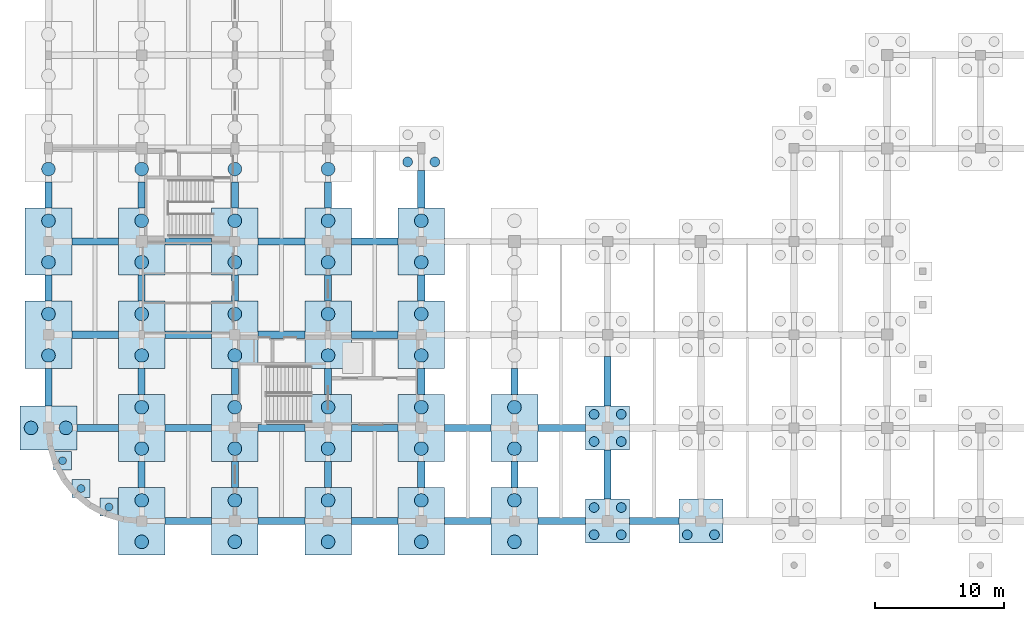
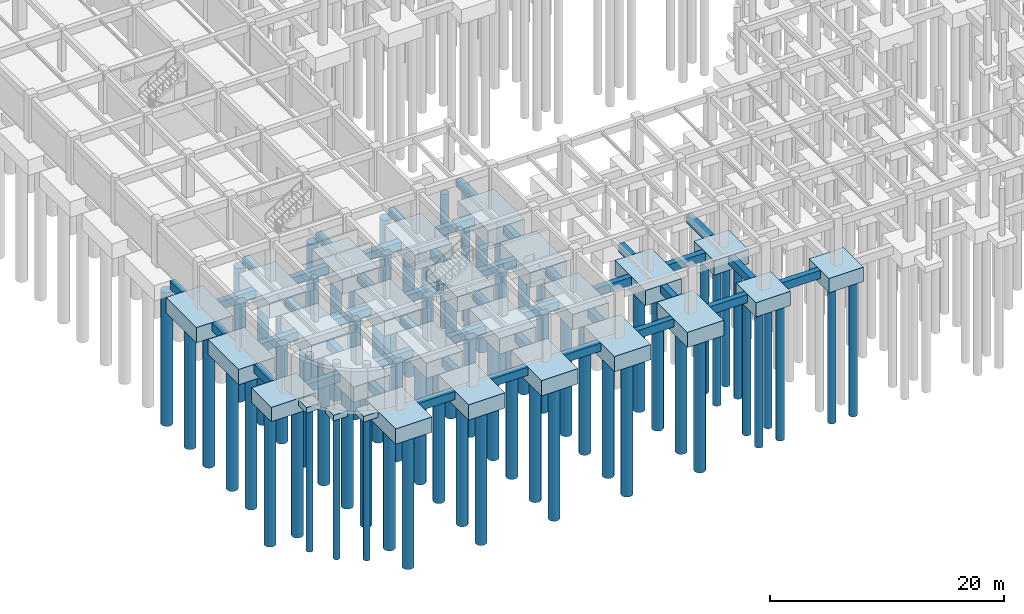
# One storey, part 1 of 47: 70 footings, 61 piles.
"""IFC4 building model written with IfcOpenShell, lengths in metres."""

import ifcopenshell
import ifcopenshell.guid

model = None  # the IFC model being written
_history = None  # IfcOwnerHistory: only IFC2X3 demands one
_inside = {}  # id of a spatial element -> (the spatial element, [elements in it])
_under = {}  # id of a project, library or spatial element -> (it, [spatial elements below it])
_declared = {}  # id of a project -> (the project, [libraries it declares])
_typed = {}  # id of a type object -> (the type object, [elements of that type])
_made_of = {}  # id of a material, layer set ... -> (it, [elements and type objects made of it])


def new_model(schema):
    """Start an empty IFC model of exactly this schema.

    Asked for "IFC4X3", IfcOpenShell would pick the latest addendum, in which some entities
    have other attributes; the version numbers below select the first issue.
    IFC2X3 requires an IfcOwnerHistory on every rooted entity: one is made here for all.
    """
    global model, _history
    if schema == "IFC4X3":
        model = ifcopenshell.file(schema_version=(4, 3, 0, 0))
    else:
        model = ifcopenshell.file(schema=schema)
    _inside.clear()
    _under.clear()
    _declared.clear()
    _typed.clear()
    _made_of.clear()
    _history = None
    if model.schema == "IFC2X3":
        org = make("IfcOrganization", Name="unknown")
        user = make(
            "IfcPersonAndOrganization",
            ThePerson=make("IfcPerson", FamilyName="unknown"),
            TheOrganization=org,
        )
        app = make(
            "IfcApplication",
            ApplicationDeveloper=org,
            Version="unknown",
            ApplicationFullName="unknown",
            ApplicationIdentifier="unknown",
        )
        _history = make(
            "IfcOwnerHistory",
            OwningUser=user,
            OwningApplication=app,
            ChangeAction="ADDED",
            CreationDate=0,
        )
    return model


def make(cls, **values):
    """One entity of the class cls with the attributes given. An attribute that is None is left unset."""
    return model.create_entity(
        cls, **{name: value for name, value in values.items() if value is not None}
    )


def rooted(cls, **values):
    """An entity with a GlobalId (a new one), such as an element, a storey or a relation."""
    return make(cls, GlobalId=ifcopenshell.guid.new(), OwnerHistory=_history, **values)


def si_unit(unit_type, name, prefix=None):
    """IfcSIUnit, for example si_unit("LENGTHUNIT", "METRE", prefix="MILLI")."""
    return make("IfcSIUnit", UnitType=unit_type, Prefix=prefix, Name=name)


def assignment(units):
    """IfcUnitAssignment: the units of a project."""
    return None if units is None else make("IfcUnitAssignment", Units=units)


def point(xyz):
    """IfcCartesianPoint."""
    return None if xyz is None else make("IfcCartesianPoint", Coordinates=xyz)


def direction(xyz):
    """IfcDirection."""
    return None if xyz is None else make("IfcDirection", DirectionRatios=xyz)


def frame(location, z_axis=None, x_axis=None):
    """IfcAxis2Placement3D, a coordinate frame: its origin and axes. An axis left out is left unset."""
    return make(
        "IfcAxis2Placement3D",
        Location=point(location),
        Axis=direction(z_axis),
        RefDirection=direction(x_axis),
    )


def frame_2d(location, x_axis=None):
    """IfcAxis2Placement2D, a coordinate frame in the plane: its origin and x axis."""
    return make(
        "IfcAxis2Placement2D", Location=point(location), RefDirection=direction(x_axis)
    )


def origin():
    """The frame at (0, 0, 0) with its axes left unset."""
    return frame((0.0, 0.0, 0.0))


def origin_2d():
    """The frame at (0, 0) in the plane with its x axis left unset."""
    return frame_2d((0.0, 0.0))


def place(relative_to, where):
    """IfcLocalPlacement: puts the frame where relative to a parent placement (None: the world)."""
    return make(
        "IfcLocalPlacement", PlacementRelTo=relative_to, RelativePlacement=where
    )


def context(
    kind, dimensions, precision=None, world=None, true_north=None, identifier=None
):
    """IfcGeometricRepresentationContext, for example the 3D "Model" context."""
    return make(
        "IfcGeometricRepresentationContext",
        ContextIdentifier=identifier,
        ContextType=kind,
        CoordinateSpaceDimension=dimensions,
        Precision=precision,
        WorldCoordinateSystem=world,
        TrueNorth=true_north,
    )


def subcontext(parent, identifier, kind, view, scale=None):
    """IfcGeometricRepresentationSubContext, for example "Body" below "Model"."""
    return make(
        "IfcGeometricRepresentationSubContext",
        ContextIdentifier=identifier,
        ContextType=kind,
        ParentContext=parent,
        TargetScale=scale,
        TargetView=view,
    )


def project(units=None, contexts=None):
    """IfcProject with its units and contexts."""
    return rooted(
        "IfcProject",
        Name="project",
        RepresentationContexts=contexts,
        UnitsInContext=assignment(units),
    )


def spatial(cls, under=None, at=None, **own):
    """A site, building, storey or space (cls), placed at a placement, below another one or the project."""
    s = rooted(cls, ObjectPlacement=at, **own)
    if under is not None:
        _under.setdefault(under.id(), (under, []))[1].append(s)
    return s


def profile(cls, at=None, kind="AREA", **sizes):
    """A parametric profile (cls). Its sizes go by their IFC names, for example OverallWidth=200.0."""
    return make(cls, ProfileType=kind, Position=at, **sizes)


def rectangle(**sizes):
    """IfcRectangleProfileDef."""
    return profile("IfcRectangleProfileDef", **sizes)


def circle(**sizes):
    """IfcCircleProfileDef."""
    return profile("IfcCircleProfileDef", **sizes)


def extrude(swept, where, along, depth):
    """IfcExtrudedAreaSolid: the profile swept, set in the frame where, extruded along a direction by depth."""
    return make(
        "IfcExtrudedAreaSolid",
        SweptArea=swept,
        Position=where,
        ExtrudedDirection=direction(along),
        Depth=depth,
    )


def shape(context_of_items, identifier, shape_type, items):
    """IfcShapeRepresentation: the items that make up one representation, for example the "Body"."""
    return make(
        "IfcShapeRepresentation",
        ContextOfItems=context_of_items,
        RepresentationIdentifier=identifier,
        RepresentationType=shape_type,
        Items=items,
    )


def material(Name=None, Category=None):
    """IfcMaterial."""
    return make("IfcMaterial", Name=Name, Category=Category)


def material_profile(
    of_material, cross_section, Name=None, Category=None, Priority=None
):
    """IfcMaterialProfile: a cross section and its material."""
    return make(
        "IfcMaterialProfile",
        Name=Name,
        Material=of_material,
        Profile=cross_section,
        Priority=Priority,
        Category=Category,
    )


def profile_set(profiles, Name=None, composite=None):
    """IfcMaterialProfileSet."""
    return make(
        "IfcMaterialProfileSet",
        Name=Name,
        MaterialProfiles=profiles,
        CompositeProfile=composite,
    )


def made_of(thing, what):
    """Note that an element or type object is made of a material, layer set ...; save() writes the relation."""
    if what is not None:
        _made_of.setdefault(what.id(), (what, []))[1].append(thing)
    return thing


def type_object(cls, material=None, **own):
    """A type object (cls), such as IfcWallType, which elements share."""
    return made_of(rooted(cls, **own), material)


def element(
    cls,
    number,
    at=None,
    inside=None,
    cuts=None,
    type_object=None,
    material=None,
    context=None,
    identifier="Body",
    shape_type=None,
    held_by="IfcProductDefinitionShape",
    body=None,
    shapes=None,
    **own,
):
    """One element of the class cls, such as IfcWall. Its Tag is "e" and its number.

    at: its placement. inside: the storey or other place that contains it. cuts: it is an
    opening in that element (IfcRelVoidsElement). A single representation is given by context,
    identifier, shape_type and body (its items); several are given by shapes. held_by: the class
    of the entity that holds the representations. save() writes the other relations.
    """
    e = rooted(cls, Tag="e%d" % number, ObjectPlacement=at, **own)
    if body is not None:
        shapes = [shape(context, identifier, shape_type, body)]
    if shapes is not None:
        e.Representation = make(held_by, Representations=shapes)
    if inside is not None:
        _inside.setdefault(inside.id(), (inside, []))[1].append(e)
    if cuts is not None:
        rooted(
            "IfcRelVoidsElement", RelatingBuildingElement=cuts, RelatedOpeningElement=e
        )
    if type_object is not None:
        _typed.setdefault(type_object.id(), (type_object, []))[1].append(e)
    return made_of(e, material)


def aggregate(whole, parts):
    """IfcRelAggregates: a whole, such as a stair, and the parts it consists of."""
    return rooted("IfcRelAggregates", RelatingObject=whole, RelatedObjects=parts)


def save(model, path):
    """Write the relations noted so far, then the file.

    IfcRelAggregates (storeys below a building ...), IfcRelContainedInSpatialStructure (elements
    in a storey), IfcRelDefinesByType, IfcRelAssociatesMaterial and IfcRelDeclares: one each for
    every whole, place, type object, material and project.
    """
    for whole, parts in _under.values():
        aggregate(whole, parts)
    for where, things in _inside.values():
        rooted(
            "IfcRelContainedInSpatialStructure",
            RelatedElements=things,
            RelatingStructure=where,
        )
    for kind, things in _typed.values():
        rooted("IfcRelDefinesByType", RelatedObjects=things, RelatingType=kind)
    for what, things in _made_of.values():
        rooted("IfcRelAssociatesMaterial", RelatedObjects=things, RelatingMaterial=what)
    for by, libraries in _declared.values():
        rooted("IfcRelDeclares", RelatingContext=by, RelatedDefinitions=libraries)
    model.write(path)


model = new_model("IFC4")

# Units and contexts
model_context = context("Model", 3, precision=1e-05, world=origin(), true_north=direction((0.0, 1.0)))
body_context = subcontext(model_context, "Body", "Model", "MODEL_VIEW")
ifc_project = project(units=[si_unit("LENGTHUNIT", "METRE"), si_unit("AREAUNIT", "SQUARE_METRE"), si_unit("VOLUMEUNIT", "CUBIC_METRE"), si_unit("PLANEANGLEUNIT", "RADIAN"), si_unit("MASSUNIT", "GRAM", prefix="KILO")], contexts=[model_context])

# Site, building, storey
site_placement = place(None, origin())
site = spatial("IfcSite", under=ifc_project, at=site_placement, CompositionType="ELEMENT")
building_placement = place(site_placement, origin())
building = spatial("IfcBuilding", under=site, at=building_placement, Name="Thalmaran Polytechnic", CompositionType="ELEMENT")
storey_placement = place(building_placement, frame((0.0, 0.0, -4.5)))
storey = spatial("IfcBuildingStorey", under=building, at=storey_placement, Name="B1", CompositionType="ELEMENT", Elevation=-4.5)

# Footings
ifc_material_1 = material(Name="Concrete C40/50", Category="concrete")
ifc_material_profile_1 = material_profile(ifc_material_1, rectangle(XDim=0.550048828125, YDim=0.85009765625, at=origin_2d()), Name="RC 550x850")
ifc_profile_set_1 = profile_set([ifc_material_profile_1], Name="Concrete C40/50")
footing_type_1 = type_object("IfcFootingType", Name="FN-GB01", PredefinedType="FOOTING_BEAM", material=ifc_profile_set_1)
footing_1_placement = place(storey_placement, frame((2.199951171875, 7.199951171875, -0.875), z_axis=(1.0, 0.0, 0.0), x_axis=(0.0, 1.0, 0.0)))
element("IfcFooting", 1, at=footing_1_placement, inside=storey, type_object=footing_type_1, Name="Ground Tie Beam B1 X (0,1)", PredefinedType="FOOTING_BEAM", context=body_context, shape_type="SweptSolid", body=[
    extrude(rectangle(XDim=0.550048828125, YDim=0.85009765625, at=origin_2d()), origin(), (0.0, 0.0, 1.0), 3.199951171875),
])
footing_2_placement = place(storey_placement, frame((0.0, 8.89990234375, -0.875), z_axis=(0.0, 1.0, 0.0), x_axis=(-1.0, 0.0, 0.0)))
element("IfcFooting", 2, at=footing_2_placement, inside=storey, type_object=footing_type_1, Name="Ground Tie Beam B1 Y (0,1)", PredefinedType="FOOTING_BEAM", context=body_context, shape_type="SweptSolid", body=[
    extrude(rectangle(XDim=0.550048828125, YDim=0.85009765625, at=origin_2d()), origin(), (0.0, 0.0, 1.0), 2.900146484375),
])
footing_3_placement = place(storey_placement, frame((1.800048828125, 14.39990234375, -0.875), z_axis=(1.0, 0.0, 0.0), x_axis=(0.0, 1.0, 0.0)))
element("IfcFooting", 3, at=footing_3_placement, inside=storey, type_object=footing_type_1, Name="Ground Tie Beam B1 X (0,2)", PredefinedType="FOOTING_BEAM", context=body_context, shape_type="SweptSolid", body=[
    extrude(rectangle(XDim=0.550048828125, YDim=0.85009765625, at=origin_2d()), origin(), (0.0, 0.0, 1.0), 3.599853515625),
])
footing_4_placement = place(storey_placement, frame((0.0, 17.0, -0.875), z_axis=(0.0, 1.0, 0.0), x_axis=(-1.0, 0.0, 0.0)))
element("IfcFooting", 4, at=footing_4_placement, inside=storey, type_object=footing_type_1, Name="Ground Tie Beam B1 Y (0,2)", PredefinedType="FOOTING_BEAM", context=body_context, shape_type="SweptSolid", body=[
    extrude(rectangle(XDim=0.550048828125, YDim=0.85009765625, at=origin_2d()), origin(), (0.0, 0.0, 1.0), 2.0),
])
footing_5_placement = place(storey_placement, frame((1.800048828125, 21.60009765625, -0.875), z_axis=(1.0, 0.0, 0.0), x_axis=(0.0, 1.0, 0.0)))
element("IfcFooting", 5, at=footing_5_placement, inside=storey, type_object=footing_type_1, Name="Ground Tie Beam B1 X (0,3)", PredefinedType="FOOTING_BEAM", context=body_context, shape_type="SweptSolid", body=[
    extrude(rectangle(XDim=0.550048828125, YDim=0.85009765625, at=origin_2d()), origin(), (0.0, 0.0, 1.0), 3.599853515625),
])
footing_6_placement = place(storey_placement, frame((0.0, 24.199951171875, -0.875), z_axis=(0.0, 1.0, 0.0), x_axis=(-1.0, 0.0, 0.0)))
element("IfcFooting", 6, at=footing_6_placement, inside=storey, type_object=footing_type_1, Name="Ground Tie Beam B1 Y (0,3)", PredefinedType="FOOTING_BEAM", context=body_context, shape_type="SweptSolid", body=[
    extrude(rectangle(XDim=0.550048828125, YDim=0.85009765625, at=origin_2d()), origin(), (0.0, 0.0, 1.0), 2.0),
])
footing_7_placement = place(storey_placement, frame((9.0, 0.0, -0.875), z_axis=(1.0, 0.0, 0.0), x_axis=(0.0, 1.0, 0.0)))
element("IfcFooting", 7, at=footing_7_placement, inside=storey, type_object=footing_type_1, Name="Ground Tie Beam B1 X (1,0)", PredefinedType="FOOTING_BEAM", context=body_context, shape_type="SweptSolid", body=[
    extrude(rectangle(XDim=0.550048828125, YDim=0.85009765625, at=origin_2d()), origin(), (0.0, 0.0, 1.0), 3.60009765625),
])
footing_8_placement = place(storey_placement, frame((7.199951171875, 2.60009765625, -0.875), z_axis=(0.0, 1.0, 0.0), x_axis=(-1.0, 0.0, 0.0)))
element("IfcFooting", 8, at=footing_8_placement, inside=storey, type_object=footing_type_1, Name="Ground Tie Beam B1 Y (1,0)", PredefinedType="FOOTING_BEAM", context=body_context, shape_type="SweptSolid", body=[
    extrude(rectangle(XDim=0.550048828125, YDim=0.85009765625, at=origin_2d()), origin(), (0.0, 0.0, 1.0), 2.0),
])
footing_9_placement = place(storey_placement, frame((9.0, 7.199951171875, -0.875), z_axis=(1.0, 0.0, 0.0), x_axis=(0.0, 1.0, 0.0)))
element("IfcFooting", 9, at=footing_9_placement, inside=storey, type_object=footing_type_1, Name="Ground Tie Beam B1 X (1,1)", PredefinedType="FOOTING_BEAM", context=body_context, shape_type="SweptSolid", body=[
    extrude(rectangle(XDim=0.550048828125, YDim=0.85009765625, at=origin_2d()), origin(), (0.0, 0.0, 1.0), 3.60009765625),
])
footing_10_placement = place(storey_placement, frame((7.199951171875, 9.800048828125, -0.875), z_axis=(0.0, 1.0, 0.0), x_axis=(-1.0, 0.0, 0.0)))
element("IfcFooting", 10, at=footing_10_placement, inside=storey, type_object=footing_type_1, Name="Ground Tie Beam B1 Y (1,1)", PredefinedType="FOOTING_BEAM", context=body_context, shape_type="SweptSolid", body=[
    extrude(rectangle(XDim=0.550048828125, YDim=0.85009765625, at=origin_2d()), origin(), (0.0, 0.0, 1.0), 2.0),
])
footing_11_placement = place(storey_placement, frame((9.0, 14.39990234375, -0.875), z_axis=(1.0, 0.0, 0.0), x_axis=(0.0, 1.0, 0.0)))
element("IfcFooting", 11, at=footing_11_placement, inside=storey, type_object=footing_type_1, Name="Ground Tie Beam B1 X (1,2)", PredefinedType="FOOTING_BEAM", context=body_context, shape_type="SweptSolid", body=[
    extrude(rectangle(XDim=0.550048828125, YDim=0.85009765625, at=origin_2d()), origin(), (0.0, 0.0, 1.0), 3.60009765625),
])
footing_12_placement = place(storey_placement, frame((7.199951171875, 17.0, -0.875), z_axis=(0.0, 1.0, 0.0), x_axis=(-1.0, 0.0, 0.0)))
element("IfcFooting", 12, at=footing_12_placement, inside=storey, type_object=footing_type_1, Name="Ground Tie Beam B1 Y (1,2)", PredefinedType="FOOTING_BEAM", context=body_context, shape_type="SweptSolid", body=[
    extrude(rectangle(XDim=0.550048828125, YDim=0.85009765625, at=origin_2d()), origin(), (0.0, 0.0, 1.0), 2.0),
])
footing_13_placement = place(storey_placement, frame((9.0, 21.60009765625, -0.875), z_axis=(1.0, 0.0, 0.0), x_axis=(0.0, 1.0, 0.0)))
element("IfcFooting", 13, at=footing_13_placement, inside=storey, type_object=footing_type_1, Name="Ground Tie Beam B1 X (1,3)", PredefinedType="FOOTING_BEAM", context=body_context, shape_type="SweptSolid", body=[
    extrude(rectangle(XDim=0.550048828125, YDim=0.85009765625, at=origin_2d()), origin(), (0.0, 0.0, 1.0), 3.60009765625),
])
footing_14_placement = place(storey_placement, frame((7.199951171875, 24.199951171875, -0.875), z_axis=(0.0, 1.0, 0.0), x_axis=(-1.0, 0.0, 0.0)))
element("IfcFooting", 14, at=footing_14_placement, inside=storey, type_object=footing_type_1, Name="Ground Tie Beam B1 Y (1,3)", PredefinedType="FOOTING_BEAM", context=body_context, shape_type="SweptSolid", body=[
    extrude(rectangle(XDim=0.550048828125, YDim=0.85009765625, at=origin_2d()), origin(), (0.0, 0.0, 1.0), 2.0),
])
footing_15_placement = place(storey_placement, frame((16.199951171875, 0.0, -0.875), z_axis=(1.0, 0.0, 0.0), x_axis=(0.0, 1.0, 0.0)))
element("IfcFooting", 15, at=footing_15_placement, inside=storey, type_object=footing_type_1, Name="Ground Tie Beam B1 X (2,0)", PredefinedType="FOOTING_BEAM", context=body_context, shape_type="SweptSolid", body=[
    extrude(rectangle(XDim=0.550048828125, YDim=0.85009765625, at=origin_2d()), origin(), (0.0, 0.0, 1.0), 3.60009765625),
])
footing_16_placement = place(storey_placement, frame((14.39990234375, 2.60009765625, -0.875), z_axis=(0.0, 1.0, 0.0), x_axis=(-1.0, 0.0, 0.0)))
element("IfcFooting", 16, at=footing_16_placement, inside=storey, type_object=footing_type_1, Name="Ground Tie Beam B1 Y (2,0)", PredefinedType="FOOTING_BEAM", context=body_context, shape_type="SweptSolid", body=[
    extrude(rectangle(XDim=0.550048828125, YDim=0.85009765625, at=origin_2d()), origin(), (0.0, 0.0, 1.0), 2.0),
])
footing_17_placement = place(storey_placement, frame((16.199951171875, 7.199951171875, -0.875), z_axis=(1.0, 0.0, 0.0), x_axis=(0.0, 1.0, 0.0)))
element("IfcFooting", 17, at=footing_17_placement, inside=storey, type_object=footing_type_1, Name="Ground Tie Beam B1 X (2,1)", PredefinedType="FOOTING_BEAM", context=body_context, shape_type="SweptSolid", body=[
    extrude(rectangle(XDim=0.550048828125, YDim=0.85009765625, at=origin_2d()), origin(), (0.0, 0.0, 1.0), 3.60009765625),
])
footing_18_placement = place(storey_placement, frame((14.39990234375, 9.800048828125, -0.875), z_axis=(0.0, 1.0, 0.0), x_axis=(-1.0, 0.0, 0.0)))
element("IfcFooting", 18, at=footing_18_placement, inside=storey, type_object=footing_type_1, Name="Ground Tie Beam B1 Y (2,1)", PredefinedType="FOOTING_BEAM", context=body_context, shape_type="SweptSolid", body=[
    extrude(rectangle(XDim=0.550048828125, YDim=0.85009765625, at=origin_2d()), origin(), (0.0, 0.0, 1.0), 2.0),
])
footing_19_placement = place(storey_placement, frame((16.199951171875, 14.39990234375, -0.875), z_axis=(1.0, 0.0, 0.0), x_axis=(0.0, 1.0, 0.0)))
element("IfcFooting", 19, at=footing_19_placement, inside=storey, type_object=footing_type_1, Name="Ground Tie Beam B1 X (2,2)", PredefinedType="FOOTING_BEAM", context=body_context, shape_type="SweptSolid", body=[
    extrude(rectangle(XDim=0.550048828125, YDim=0.85009765625, at=origin_2d()), origin(), (0.0, 0.0, 1.0), 3.60009765625),
])
footing_20_placement = place(storey_placement, frame((14.39990234375, 17.0, -0.875), z_axis=(0.0, 1.0, 0.0), x_axis=(-1.0, 0.0, 0.0)))
element("IfcFooting", 20, at=footing_20_placement, inside=storey, type_object=footing_type_1, Name="Ground Tie Beam B1 Y (2,2)", PredefinedType="FOOTING_BEAM", context=body_context, shape_type="SweptSolid", body=[
    extrude(rectangle(XDim=0.550048828125, YDim=0.85009765625, at=origin_2d()), origin(), (0.0, 0.0, 1.0), 2.0),
])
footing_21_placement = place(storey_placement, frame((16.199951171875, 21.60009765625, -0.875), z_axis=(1.0, 0.0, 0.0), x_axis=(0.0, 1.0, 0.0)))
element("IfcFooting", 21, at=footing_21_placement, inside=storey, type_object=footing_type_1, Name="Ground Tie Beam B1 X (2,3)", PredefinedType="FOOTING_BEAM", context=body_context, shape_type="SweptSolid", body=[
    extrude(rectangle(XDim=0.550048828125, YDim=0.85009765625, at=origin_2d()), origin(), (0.0, 0.0, 1.0), 3.60009765625),
])
footing_22_placement = place(storey_placement, frame((14.39990234375, 24.199951171875, -0.875), z_axis=(0.0, 1.0, 0.0), x_axis=(-1.0, 0.0, 0.0)))
element("IfcFooting", 22, at=footing_22_placement, inside=storey, type_object=footing_type_1, Name="Ground Tie Beam B1 Y (2,3)", PredefinedType="FOOTING_BEAM", context=body_context, shape_type="SweptSolid", body=[
    extrude(rectangle(XDim=0.550048828125, YDim=0.85009765625, at=origin_2d()), origin(), (0.0, 0.0, 1.0), 2.0),
])
footing_23_placement = place(storey_placement, frame((23.39990234375, 0.0, -0.875), z_axis=(1.0, 0.0, 0.0), x_axis=(0.0, 1.0, 0.0)))
element("IfcFooting", 23, at=footing_23_placement, inside=storey, type_object=footing_type_1, Name="Ground Tie Beam B1 X (3,0)", PredefinedType="FOOTING_BEAM", context=body_context, shape_type="SweptSolid", body=[
    extrude(rectangle(XDim=0.550048828125, YDim=0.85009765625, at=origin_2d()), origin(), (0.0, 0.0, 1.0), 3.60009765625),
])
footing_24_placement = place(storey_placement, frame((21.60009765625, 2.60009765625, -0.875), z_axis=(0.0, 1.0, 0.0), x_axis=(-1.0, 0.0, 0.0)))
element("IfcFooting", 24, at=footing_24_placement, inside=storey, type_object=footing_type_1, Name="Ground Tie Beam B1 Y (3,0)", PredefinedType="FOOTING_BEAM", context=body_context, shape_type="SweptSolid", body=[
    extrude(rectangle(XDim=0.550048828125, YDim=0.85009765625, at=origin_2d()), origin(), (0.0, 0.0, 1.0), 2.0),
])
footing_25_placement = place(storey_placement, frame((23.39990234375, 7.199951171875, -0.875), z_axis=(1.0, 0.0, 0.0), x_axis=(0.0, 1.0, 0.0)))
element("IfcFooting", 25, at=footing_25_placement, inside=storey, type_object=footing_type_1, Name="Ground Tie Beam B1 X (3,1)", PredefinedType="FOOTING_BEAM", context=body_context, shape_type="SweptSolid", body=[
    extrude(rectangle(XDim=0.550048828125, YDim=0.85009765625, at=origin_2d()), origin(), (0.0, 0.0, 1.0), 3.60009765625),
])
footing_26_placement = place(storey_placement, frame((21.60009765625, 9.800048828125, -0.875), z_axis=(0.0, 1.0, 0.0), x_axis=(-1.0, 0.0, 0.0)))
element("IfcFooting", 26, at=footing_26_placement, inside=storey, type_object=footing_type_1, Name="Ground Tie Beam B1 Y (3,1)", PredefinedType="FOOTING_BEAM", context=body_context, shape_type="SweptSolid", body=[
    extrude(rectangle(XDim=0.550048828125, YDim=0.85009765625, at=origin_2d()), origin(), (0.0, 0.0, 1.0), 2.0),
])
footing_27_placement = place(storey_placement, frame((23.39990234375, 14.39990234375, -0.875), z_axis=(1.0, 0.0, 0.0), x_axis=(0.0, 1.0, 0.0)))
element("IfcFooting", 27, at=footing_27_placement, inside=storey, type_object=footing_type_1, Name="Ground Tie Beam B1 X (3,2)", PredefinedType="FOOTING_BEAM", context=body_context, shape_type="SweptSolid", body=[
    extrude(rectangle(XDim=0.550048828125, YDim=0.85009765625, at=origin_2d()), origin(), (0.0, 0.0, 1.0), 3.60009765625),
])
footing_28_placement = place(storey_placement, frame((21.60009765625, 17.0, -0.875), z_axis=(0.0, 1.0, 0.0), x_axis=(-1.0, 0.0, 0.0)))
element("IfcFooting", 28, at=footing_28_placement, inside=storey, type_object=footing_type_1, Name="Ground Tie Beam B1 Y (3,2)", PredefinedType="FOOTING_BEAM", context=body_context, shape_type="SweptSolid", body=[
    extrude(rectangle(XDim=0.550048828125, YDim=0.85009765625, at=origin_2d()), origin(), (0.0, 0.0, 1.0), 2.0),
])
footing_29_placement = place(storey_placement, frame((23.39990234375, 21.60009765625, -0.875), z_axis=(1.0, 0.0, 0.0), x_axis=(0.0, 1.0, 0.0)))
element("IfcFooting", 29, at=footing_29_placement, inside=storey, type_object=footing_type_1, Name="Ground Tie Beam B1 X (3,3)", PredefinedType="FOOTING_BEAM", context=body_context, shape_type="SweptSolid", body=[
    extrude(rectangle(XDim=0.550048828125, YDim=0.85009765625, at=origin_2d()), origin(), (0.0, 0.0, 1.0), 3.60009765625),
])
footing_30_placement = place(storey_placement, frame((21.60009765625, 24.199951171875, -0.875), z_axis=(0.0, 1.0, 0.0), x_axis=(-1.0, 0.0, 0.0)))
element("IfcFooting", 30, at=footing_30_placement, inside=storey, type_object=footing_type_1, Name="Ground Tie Beam B1 Y (3,3)", PredefinedType="FOOTING_BEAM", context=body_context, shape_type="SweptSolid", body=[
    extrude(rectangle(XDim=0.550048828125, YDim=0.85009765625, at=origin_2d()), origin(), (0.0, 0.0, 1.0), 2.0),
])
footing_31_placement = place(storey_placement, frame((30.60009765625, 0.0, -0.875), z_axis=(1.0, 0.0, 0.0), x_axis=(0.0, 1.0, 0.0)))
element("IfcFooting", 31, at=footing_31_placement, inside=storey, type_object=footing_type_1, Name="Ground Tie Beam B1 X (4,0)", PredefinedType="FOOTING_BEAM", context=body_context, shape_type="SweptSolid", body=[
    extrude(rectangle(XDim=0.550048828125, YDim=0.85009765625, at=origin_2d()), origin(), (0.0, 0.0, 1.0), 3.599853515625),
])
footing_32_placement = place(storey_placement, frame((28.800048828125, 2.60009765625, -0.875), z_axis=(0.0, 1.0, 0.0), x_axis=(-1.0, 0.0, 0.0)))
element("IfcFooting", 32, at=footing_32_placement, inside=storey, type_object=footing_type_1, Name="Ground Tie Beam B1 Y (4,0)", PredefinedType="FOOTING_BEAM", context=body_context, shape_type="SweptSolid", body=[
    extrude(rectangle(XDim=0.550048828125, YDim=0.85009765625, at=origin_2d()), origin(), (0.0, 0.0, 1.0), 2.0),
])
footing_33_placement = place(storey_placement, frame((30.60009765625, 7.199951171875, -0.875), z_axis=(1.0, 0.0, 0.0), x_axis=(0.0, 1.0, 0.0)))
element("IfcFooting", 33, at=footing_33_placement, inside=storey, type_object=footing_type_1, Name="Ground Tie Beam B1 X (4,1)", PredefinedType="FOOTING_BEAM", context=body_context, shape_type="SweptSolid", body=[
    extrude(rectangle(XDim=0.550048828125, YDim=0.85009765625, at=origin_2d()), origin(), (0.0, 0.0, 1.0), 3.599853515625),
])
for number, where, z_axis, x_axis, name in (
    (34, (28.800048828125, 9.800048828125, -0.875), (0.0, 1.0, 0.0), (-1.0, 0.0, 0.0), "Ground Tie Beam B1 Y (4,1)"),
    (35, (28.800048828125, 17.0, -0.875), (0.0, 1.0, 0.0), (-1.0, 0.0, 0.0), "Ground Tie Beam B1 Y (4,2)"),
):
    element("IfcFooting", number, at=place(storey_placement, frame(where, z_axis=z_axis, x_axis=x_axis)), inside=storey, type_object=footing_type_1, Name=name, PredefinedType="FOOTING_BEAM", context=body_context, shape_type="SweptSolid", body=[
        extrude(rectangle(XDim=0.550048828125, YDim=0.85009765625, at=origin_2d()), origin(), (0.0, 0.0, 1.0), 2.0),
    ])
footing_34_placement = place(storey_placement, frame((28.800048828125, 24.199951171875, -0.875), z_axis=(0.0, 1.0, 0.0), x_axis=(-1.0, 0.0, 0.0)))
element("IfcFooting", 36, at=footing_34_placement, inside=storey, type_object=footing_type_1, Name="Ground Tie Beam B1 Y (4,3)", PredefinedType="FOOTING_BEAM", context=body_context, shape_type="SweptSolid", body=[
    extrude(rectangle(XDim=0.550048828125, YDim=0.85009765625, at=origin_2d()), origin(), (0.0, 0.0, 1.0), 2.900146484375),
])
footing_35_placement = place(storey_placement, frame((37.800048828125, 0.0, -0.875), z_axis=(1.0, 0.0, 0.0), x_axis=(0.0, 1.0, 0.0)))
element("IfcFooting", 37, at=footing_35_placement, inside=storey, type_object=footing_type_1, Name="Ground Tie Beam B1 X (5,0)", PredefinedType="FOOTING_BEAM", context=body_context, shape_type="SweptSolid", body=[
    extrude(rectangle(XDim=0.550048828125, YDim=0.85009765625, at=origin_2d()), origin(), (0.0, 0.0, 1.0), 3.699951171875),
])
footing_36_placement = place(storey_placement, frame((36.0, 2.60009765625, -0.875), z_axis=(0.0, 1.0, 0.0), x_axis=(-1.0, 0.0, 0.0)))
element("IfcFooting", 38, at=footing_36_placement, inside=storey, type_object=footing_type_1, Name="Ground Tie Beam B1 Y (5,0)", PredefinedType="FOOTING_BEAM", context=body_context, shape_type="SweptSolid", body=[
    extrude(rectangle(XDim=0.550048828125, YDim=0.85009765625, at=origin_2d()), origin(), (0.0, 0.0, 1.0), 2.0),
])
footing_37_placement = place(storey_placement, frame((37.800048828125, 7.199951171875, -0.875), z_axis=(1.0, 0.0, 0.0), x_axis=(0.0, 1.0, 0.0)))
element("IfcFooting", 39, at=footing_37_placement, inside=storey, type_object=footing_type_1, Name="Ground Tie Beam B1 X (5,1)", PredefinedType="FOOTING_BEAM", context=body_context, shape_type="SweptSolid", body=[
    extrude(rectangle(XDim=0.550048828125, YDim=0.85009765625, at=origin_2d()), origin(), (0.0, 0.0, 1.0), 3.699951171875),
])
footing_38_placement = place(storey_placement, frame((36.0, 9.800048828125, -0.875), z_axis=(0.0, 1.0, 0.0), x_axis=(-1.0, 0.0, 0.0)))
element("IfcFooting", 40, at=footing_38_placement, inside=storey, type_object=footing_type_1, Name="Ground Tie Beam B1 Y (5,1)", PredefinedType="FOOTING_BEAM", context=body_context, shape_type="SweptSolid", body=[
    extrude(rectangle(XDim=0.550048828125, YDim=0.85009765625, at=origin_2d()), origin(), (0.0, 0.0, 1.0), 2.0),
])
for number, where, z_axis, x_axis, name in (
    (41, (44.89990234375, 0.0, -0.875), (1.0, 0.0, 0.0), (0.0, 1.0, 0.0), "Ground Tie Beam B1 X (6,0)"),
    (42, (43.199951171875, 1.699951171875, -0.875), (0.0, 1.0, 0.0), (-1.0, 0.0, 0.0), "Ground Tie Beam B1 Y (6,0)"),
    (43, (43.199951171875, 8.89990234375, -0.875), (0.0, 1.0, 0.0), (-1.0, 0.0, 0.0), "Ground Tie Beam B1 Y (6,1)"),
):
    element("IfcFooting", number, at=place(storey_placement, frame(where, z_axis=z_axis, x_axis=x_axis)), inside=storey, type_object=footing_type_1, Name=name, PredefinedType="FOOTING_BEAM", context=body_context, shape_type="SweptSolid", body=[
        extrude(rectangle(XDim=0.550048828125, YDim=0.85009765625, at=origin_2d()), origin(), (0.0, 0.0, 1.0), 3.800048828125),
    ])
footing_type_2 = type_object("IfcFootingType", Name="FN-PC01", PredefinedType="PILE_CAP", material=ifc_material_1)
footing_39_placement = place(storey_placement, frame((0.0, 7.199951171875, -1.949951171875), z_axis=(0.0, 0.0, 1.0), x_axis=(1.0, 0.0, 0.0)))
element("IfcFooting", 44, at=footing_39_placement, inside=storey, type_object=footing_type_2, Name="Pile Cap PC01 (0,1)", PredefinedType="PILE_CAP", context=body_context, shape_type="SweptSolid", body=[
    extrude(rectangle(XDim=4.39990234375, YDim=3.39990234375, at=origin_2d()), origin(), (0.0, 0.0, 1.0), 1.5),
])
for number, where, z_axis, x_axis, name in (
    (45, (43.199951171875, 0.0, -1.949951171875), (0.0, 0.0, 1.0), (1.0, 0.0, 0.0), "Pile Cap PC01 (6,0)"),
    (46, (43.199951171875, 7.199951171875, -1.949951171875), (0.0, 0.0, 1.0), (1.0, 0.0, 0.0), "Pile Cap PC01 (6,1)"),
    (47, (50.39990234375, 0.0, -1.949951171875), (0.0, 0.0, 1.0), (1.0, 0.0, 0.0), "Pile Cap PC01 (7,0)"),
):
    element("IfcFooting", number, at=place(storey_placement, frame(where, z_axis=z_axis, x_axis=x_axis)), inside=storey, type_object=footing_type_2, Name=name, PredefinedType="PILE_CAP", context=body_context, shape_type="SweptSolid", body=[
        extrude(rectangle(XDim=3.39990234375, YDim=3.39990234375, at=origin_2d()), origin(), (0.0, 0.0, 1.0), 1.5),
    ])
footing_type_3 = type_object("IfcFootingType", Name="FN-PC08", PredefinedType="PILE_CAP", material=ifc_material_1)
for number, where, z_axis, x_axis, name in (
    (48, (0.0, 14.39990234375, -2.050048828125), (0.0, 0.0, 1.0), (1.0, 0.0, 0.0), "Pile Cap PC08 (0,2)"),
    (49, (0.0, 21.60009765625, -2.050048828125), (0.0, 0.0, 1.0), (1.0, 0.0, 0.0), "Pile Cap PC08 (0,3)"),
    (50, (7.199951171875, 0.0, -2.050048828125), (0.0, 0.0, 1.0), (1.0, 0.0, 0.0), "Pile Cap PC08 (1,0)"),
    (51, (7.199951171875, 7.199951171875, -2.050048828125), (0.0, 0.0, 1.0), (1.0, 0.0, 0.0), "Pile Cap PC08 (1,1)"),
    (52, (7.199951171875, 14.39990234375, -2.050048828125), (0.0, 0.0, 1.0), (1.0, 0.0, 0.0), "Pile Cap PC08 (1,2)"),
    (53, (7.199951171875, 21.60009765625, -2.050048828125), (0.0, 0.0, 1.0), (1.0, 0.0, 0.0), "Pile Cap PC08 (1,3)"),
    (54, (14.39990234375, 0.0, -2.050048828125), (0.0, 0.0, 1.0), (1.0, 0.0, 0.0), "Pile Cap PC08 (2,0)"),
    (55, (14.39990234375, 7.199951171875, -2.050048828125), (0.0, 0.0, 1.0), (1.0, 0.0, 0.0), "Pile Cap PC08 (2,1)"),
    (56, (14.39990234375, 14.39990234375, -2.050048828125), (0.0, 0.0, 1.0), (1.0, 0.0, 0.0), "Pile Cap PC08 (2,2)"),
    (57, (14.39990234375, 21.60009765625, -2.050048828125), (0.0, 0.0, 1.0), (1.0, 0.0, 0.0), "Pile Cap PC08 (2,3)"),
    (58, (21.60009765625, 0.0, -2.050048828125), (0.0, 0.0, 1.0), (1.0, 0.0, 0.0), "Pile Cap PC08 (3,0)"),
    (59, (21.60009765625, 7.199951171875, -2.050048828125), (0.0, 0.0, 1.0), (1.0, 0.0, 0.0), "Pile Cap PC08 (3,1)"),
    (60, (21.60009765625, 14.39990234375, -2.050048828125), (0.0, 0.0, 1.0), (1.0, 0.0, 0.0), "Pile Cap PC08 (3,2)"),
    (61, (21.60009765625, 21.60009765625, -2.050048828125), (0.0, 0.0, 1.0), (1.0, 0.0, 0.0), "Pile Cap PC08 (3,3)"),
    (62, (28.800048828125, 0.0, -2.050048828125), (0.0, 0.0, 1.0), (1.0, 0.0, 0.0), "Pile Cap PC08 (4,0)"),
    (63, (28.800048828125, 7.199951171875, -2.050048828125), (0.0, 0.0, 1.0), (1.0, 0.0, 0.0), "Pile Cap PC08 (4,1)"),
    (64, (28.800048828125, 14.39990234375, -2.050048828125), (0.0, 0.0, 1.0), (1.0, 0.0, 0.0), "Pile Cap PC08 (4,2)"),
    (65, (28.800048828125, 21.60009765625, -2.050048828125), (0.0, 0.0, 1.0), (1.0, 0.0, 0.0), "Pile Cap PC08 (4,3)"),
    (66, (36.0, 0.0, -2.050048828125), (0.0, 0.0, 1.0), (1.0, 0.0, 0.0), "Pile Cap PC08 (5,0)"),
    (67, (36.0, 7.199951171875, -2.050048828125), (0.0, 0.0, 1.0), (1.0, 0.0, 0.0), "Pile Cap PC08 (5,1)"),
):
    element("IfcFooting", number, at=place(storey_placement, frame(where, z_axis=z_axis, x_axis=x_axis)), inside=storey, type_object=footing_type_3, Name=name, PredefinedType="PILE_CAP", context=body_context, shape_type="SweptSolid", body=[
        extrude(rectangle(XDim=3.60009765625, YDim=5.199951171875, at=origin_2d()), origin(), (0.0, 0.0, 1.0), 1.60009765625),
    ])
footing_type_4 = type_object("IfcFootingType", Name="FN-PF03", PredefinedType="PAD_FOOTING", material=ifc_material_1)
for number, where, z_axis, x_axis, name in (
    (68, (1.083984375, 4.666748046875, -1.050048828125), (0.0, 0.0, 1.0), (1.0, 0.0, 0.0), "Prow Column Cap SWP1"),
    (69, (2.51904296875, 2.51904296875, -1.050048828125), (0.0, 0.0, 1.0), (1.0, 0.0, 0.0), "Prow Column Cap SWP2"),
    (70, (4.666748046875, 1.083984375, -1.050048828125), (0.0, 0.0, 1.0), (1.0, 0.0, 0.0), "Prow Column Cap SWP3"),
):
    element("IfcFooting", number, at=place(storey_placement, frame(where, z_axis=z_axis, x_axis=x_axis)), inside=storey, type_object=footing_type_4, Name=name, PredefinedType="PAD_FOOTING", context=body_context, shape_type="SweptSolid", body=[
        extrude(rectangle(XDim=1.39990234375, YDim=1.39990234375, at=origin_2d()), origin(), (0.0, 0.0, 1.0), 0.60009765625),
    ])

# Piles
ifc_material_2 = material(Name="Concrete C35/45", Category="concrete")
ifc_material_profile_2 = material_profile(ifc_material_2, circle(Radius=0.52490234375, at=origin_2d()), Name="RC 1050 DIA")
ifc_profile_set_2 = profile_set([ifc_material_profile_2], Name="Concrete C35/45")
pile_type_1 = type_object("IfcPileType", Name="PL-BP01", PredefinedType="BORED", material=ifc_profile_set_2)
for number, where, z_axis, x_axis, name in (
    (71, (-1.35009765625, 7.199951171875, -1.949951171875), (0.0, 0.0, -1.0), (1.0, 0.0, 0.0), "Bored Pile BP01 (0,1)-1"),
    (72, (1.35009765625, 7.199951171875, -1.949951171875), (0.0, 0.0, -1.0), (1.0, 0.0, 0.0), "Bored Pile BP01 (0,1)-2"),
):
    element("IfcPile", number, at=place(storey_placement, frame(where, z_axis=z_axis, x_axis=x_axis)), inside=storey, type_object=pile_type_1, Name=name, PredefinedType="BORED", context=body_context, shape_type="SweptSolid", body=[
        extrude(circle(Radius=0.52490234375, at=origin_2d()), origin(), (0.0, 0.0, 1.0), 14.050048828125),
    ])
for number, where, z_axis, x_axis, name in (
    (73, (0.0, 12.800048828125, -2.050048828125), (0.0, 0.0, -1.0), (1.0, 0.0, 0.0), "Bored Pile BP01 (0,2)-1"),
    (74, (0.0, 16.0, -2.050048828125), (0.0, 0.0, -1.0), (1.0, 0.0, 0.0), "Bored Pile BP01 (0,2)-2"),
    (75, (0.0, 20.0, -2.050048828125), (0.0, 0.0, -1.0), (1.0, 0.0, 0.0), "Bored Pile BP01 (0,3)-1"),
    (76, (0.0, 23.199951171875, -2.050048828125), (0.0, 0.0, -1.0), (1.0, 0.0, 0.0), "Bored Pile BP01 (0,3)-2"),
    (77, (0.0, 27.199951171875, -2.050048828125), (0.0, 0.0, -1.0), (1.0, 0.0, 0.0), "Bored Pile BP01 (0,4)-1"),
    (78, (7.199951171875, -1.60009765625, -2.050048828125), (0.0, 0.0, -1.0), (1.0, 0.0, 0.0), "Bored Pile BP01 (1,0)-1"),
    (79, (7.199951171875, 1.60009765625, -2.050048828125), (0.0, 0.0, -1.0), (1.0, 0.0, 0.0), "Bored Pile BP01 (1,0)-2"),
    (80, (7.199951171875, 5.60009765625, -2.050048828125), (0.0, 0.0, -1.0), (1.0, 0.0, 0.0), "Bored Pile BP01 (1,1)-1"),
    (81, (7.199951171875, 8.800048828125, -2.050048828125), (0.0, 0.0, -1.0), (1.0, 0.0, 0.0), "Bored Pile BP01 (1,1)-2"),
    (82, (7.199951171875, 12.800048828125, -2.050048828125), (0.0, 0.0, -1.0), (1.0, 0.0, 0.0), "Bored Pile BP01 (1,2)-1"),
    (83, (7.199951171875, 16.0, -2.050048828125), (0.0, 0.0, -1.0), (1.0, 0.0, 0.0), "Bored Pile BP01 (1,2)-2"),
    (84, (7.199951171875, 20.0, -2.050048828125), (0.0, 0.0, -1.0), (1.0, 0.0, 0.0), "Bored Pile BP01 (1,3)-1"),
    (85, (7.199951171875, 23.199951171875, -2.050048828125), (0.0, 0.0, -1.0), (1.0, 0.0, 0.0), "Bored Pile BP01 (1,3)-2"),
    (86, (7.199951171875, 27.199951171875, -2.050048828125), (0.0, 0.0, -1.0), (1.0, 0.0, 0.0), "Bored Pile BP01 (1,4)-1"),
    (87, (14.39990234375, -1.60009765625, -2.050048828125), (0.0, 0.0, -1.0), (1.0, 0.0, 0.0), "Bored Pile BP01 (2,0)-1"),
    (88, (14.39990234375, 1.60009765625, -2.050048828125), (0.0, 0.0, -1.0), (1.0, 0.0, 0.0), "Bored Pile BP01 (2,0)-2"),
    (89, (14.39990234375, 5.60009765625, -2.050048828125), (0.0, 0.0, -1.0), (1.0, 0.0, 0.0), "Bored Pile BP01 (2,1)-1"),
    (90, (14.39990234375, 8.800048828125, -2.050048828125), (0.0, 0.0, -1.0), (1.0, 0.0, 0.0), "Bored Pile BP01 (2,1)-2"),
    (91, (14.39990234375, 12.800048828125, -2.050048828125), (0.0, 0.0, -1.0), (1.0, 0.0, 0.0), "Bored Pile BP01 (2,2)-1"),
    (92, (14.39990234375, 16.0, -2.050048828125), (0.0, 0.0, -1.0), (1.0, 0.0, 0.0), "Bored Pile BP01 (2,2)-2"),
    (93, (14.39990234375, 20.0, -2.050048828125), (0.0, 0.0, -1.0), (1.0, 0.0, 0.0), "Bored Pile BP01 (2,3)-1"),
    (94, (14.39990234375, 23.199951171875, -2.050048828125), (0.0, 0.0, -1.0), (1.0, 0.0, 0.0), "Bored Pile BP01 (2,3)-2"),
    (95, (14.39990234375, 27.199951171875, -2.050048828125), (0.0, 0.0, -1.0), (1.0, 0.0, 0.0), "Bored Pile BP01 (2,4)-1"),
    (96, (21.60009765625, -1.60009765625, -2.050048828125), (0.0, 0.0, -1.0), (1.0, 0.0, 0.0), "Bored Pile BP01 (3,0)-1"),
    (97, (21.60009765625, 1.60009765625, -2.050048828125), (0.0, 0.0, -1.0), (1.0, 0.0, 0.0), "Bored Pile BP01 (3,0)-2"),
    (98, (21.60009765625, 5.60009765625, -2.050048828125), (0.0, 0.0, -1.0), (1.0, 0.0, 0.0), "Bored Pile BP01 (3,1)-1"),
    (99, (21.60009765625, 8.800048828125, -2.050048828125), (0.0, 0.0, -1.0), (1.0, 0.0, 0.0), "Bored Pile BP01 (3,1)-2"),
    (100, (21.60009765625, 12.800048828125, -2.050048828125), (0.0, 0.0, -1.0), (1.0, 0.0, 0.0), "Bored Pile BP01 (3,2)-1"),
    (101, (21.60009765625, 16.0, -2.050048828125), (0.0, 0.0, -1.0), (1.0, 0.0, 0.0), "Bored Pile BP01 (3,2)-2"),
    (102, (21.60009765625, 20.0, -2.050048828125), (0.0, 0.0, -1.0), (1.0, 0.0, 0.0), "Bored Pile BP01 (3,3)-1"),
    (103, (21.60009765625, 23.199951171875, -2.050048828125), (0.0, 0.0, -1.0), (1.0, 0.0, 0.0), "Bored Pile BP01 (3,3)-2"),
    (104, (21.60009765625, 27.199951171875, -2.050048828125), (0.0, 0.0, -1.0), (1.0, 0.0, 0.0), "Bored Pile BP01 (3,4)-1"),
    (105, (28.800048828125, -1.60009765625, -2.050048828125), (0.0, 0.0, -1.0), (1.0, 0.0, 0.0), "Bored Pile BP01 (4,0)-1"),
    (106, (28.800048828125, 1.60009765625, -2.050048828125), (0.0, 0.0, -1.0), (1.0, 0.0, 0.0), "Bored Pile BP01 (4,0)-2"),
    (107, (28.800048828125, 5.60009765625, -2.050048828125), (0.0, 0.0, -1.0), (1.0, 0.0, 0.0), "Bored Pile BP01 (4,1)-1"),
    (108, (28.800048828125, 8.800048828125, -2.050048828125), (0.0, 0.0, -1.0), (1.0, 0.0, 0.0), "Bored Pile BP01 (4,1)-2"),
    (109, (28.800048828125, 12.800048828125, -2.050048828125), (0.0, 0.0, -1.0), (1.0, 0.0, 0.0), "Bored Pile BP01 (4,2)-1"),
    (110, (28.800048828125, 16.0, -2.050048828125), (0.0, 0.0, -1.0), (1.0, 0.0, 0.0), "Bored Pile BP01 (4,2)-2"),
    (111, (28.800048828125, 20.0, -2.050048828125), (0.0, 0.0, -1.0), (1.0, 0.0, 0.0), "Bored Pile BP01 (4,3)-1"),
    (112, (28.800048828125, 23.199951171875, -2.050048828125), (0.0, 0.0, -1.0), (1.0, 0.0, 0.0), "Bored Pile BP01 (4,3)-2"),
    (113, (36.0, -1.60009765625, -2.050048828125), (0.0, 0.0, -1.0), (1.0, 0.0, 0.0), "Bored Pile BP01 (5,0)-1"),
    (114, (36.0, 1.60009765625, -2.050048828125), (0.0, 0.0, -1.0), (1.0, 0.0, 0.0), "Bored Pile BP01 (5,0)-2"),
    (115, (36.0, 5.60009765625, -2.050048828125), (0.0, 0.0, -1.0), (1.0, 0.0, 0.0), "Bored Pile BP01 (5,1)-1"),
    (116, (36.0, 8.800048828125, -2.050048828125), (0.0, 0.0, -1.0), (1.0, 0.0, 0.0), "Bored Pile BP01 (5,1)-2"),
):
    element("IfcPile", number, at=place(storey_placement, frame(where, z_axis=z_axis, x_axis=x_axis)), inside=storey, type_object=pile_type_1, Name=name, PredefinedType="BORED", context=body_context, shape_type="SweptSolid", body=[
        extrude(circle(Radius=0.52490234375, at=origin_2d()), origin(), (0.0, 0.0, 1.0), 13.949951171875),
    ])
ifc_material_profile_3 = material_profile(ifc_material_2, circle(Radius=0.375, at=origin_2d()), Name="RC 750 DIA")
ifc_profile_set_3 = profile_set([ifc_material_profile_3], Name="Concrete C35/45")
pile_type_2 = type_object("IfcPileType", Name="PL-BP03", PredefinedType="BORED", material=ifc_profile_set_3)
for number, where, z_axis, x_axis, name in (
    (117, (27.75, 27.75, -1.949951171875), (0.0, 0.0, -1.0), (1.0, 0.0, 0.0), "Bored Pile BP03 (4,4)-1"),
    (118, (29.85009765625, 27.75, -1.949951171875), (0.0, 0.0, -1.0), (1.0, 0.0, 0.0), "Bored Pile BP03 (4,4)-3"),
    (119, (42.14990234375, -1.050048828125, -1.949951171875), (0.0, 0.0, -1.0), (1.0, 0.0, 0.0), "Bored Pile BP03 (6,0)-1"),
    (120, (42.14990234375, 1.050048828125, -1.949951171875), (0.0, 0.0, -1.0), (1.0, 0.0, 0.0), "Bored Pile BP03 (6,0)-2"),
    (121, (44.25, -1.050048828125, -1.949951171875), (0.0, 0.0, -1.0), (1.0, 0.0, 0.0), "Bored Pile BP03 (6,0)-3"),
    (122, (44.25, 1.050048828125, -1.949951171875), (0.0, 0.0, -1.0), (1.0, 0.0, 0.0), "Bored Pile BP03 (6,0)-4"),
    (123, (42.14990234375, 6.14990234375, -1.949951171875), (0.0, 0.0, -1.0), (1.0, 0.0, 0.0), "Bored Pile BP03 (6,1)-1"),
    (124, (42.14990234375, 8.25, -1.949951171875), (0.0, 0.0, -1.0), (1.0, 0.0, 0.0), "Bored Pile BP03 (6,1)-2"),
    (125, (44.25, 6.14990234375, -1.949951171875), (0.0, 0.0, -1.0), (1.0, 0.0, 0.0), "Bored Pile BP03 (6,1)-3"),
    (126, (44.25, 8.25, -1.949951171875), (0.0, 0.0, -1.0), (1.0, 0.0, 0.0), "Bored Pile BP03 (6,1)-4"),
    (127, (49.35009765625, -1.050048828125, -1.949951171875), (0.0, 0.0, -1.0), (1.0, 0.0, 0.0), "Bored Pile BP03 (7,0)-1"),
    (128, (51.449951171875, -1.050048828125, -1.949951171875), (0.0, 0.0, -1.0), (1.0, 0.0, 0.0), "Bored Pile BP03 (7,0)-3"),
):
    element("IfcPile", number, at=place(storey_placement, frame(where, z_axis=z_axis, x_axis=x_axis)), inside=storey, type_object=pile_type_2, Name=name, PredefinedType="BORED", context=body_context, shape_type="SweptSolid", body=[
        extrude(circle(Radius=0.375, at=origin_2d()), origin(), (0.0, 0.0, 1.0), 14.050048828125),
    ])
ifc_material_profile_4 = material_profile(ifc_material_2, circle(Radius=0.300048828125, at=origin_2d()), Name="RC 600 DIA")
ifc_profile_set_4 = profile_set([ifc_material_profile_4], Name="Concrete C35/45")
pile_type_3 = type_object("IfcPileType", Name="PL-BP04", PredefinedType="BORED", material=ifc_profile_set_4)
for number, where, z_axis, x_axis, name in (
    (129, (1.083984375, 4.666748046875, -1.050048828125), (0.0, 0.0, -1.0), (1.0, 0.0, 0.0), "Prow Bored Pile SWP1"),
    (130, (2.51904296875, 2.51904296875, -1.050048828125), (0.0, 0.0, -1.0), (1.0, 0.0, 0.0), "Prow Bored Pile SWP2"),
    (131, (4.666748046875, 1.083984375, -1.050048828125), (0.0, 0.0, -1.0), (1.0, 0.0, 0.0), "Prow Bored Pile SWP3"),
):
    element("IfcPile", number, at=place(storey_placement, frame(where, z_axis=z_axis, x_axis=x_axis)), inside=storey, type_object=pile_type_3, Name=name, PredefinedType="BORED", context=body_context, shape_type="SweptSolid", body=[
        extrude(circle(Radius=0.300048828125, at=origin_2d()), origin(), (0.0, 0.0, 1.0), 14.949951171875),
    ])

save(model, "model.ifc")
